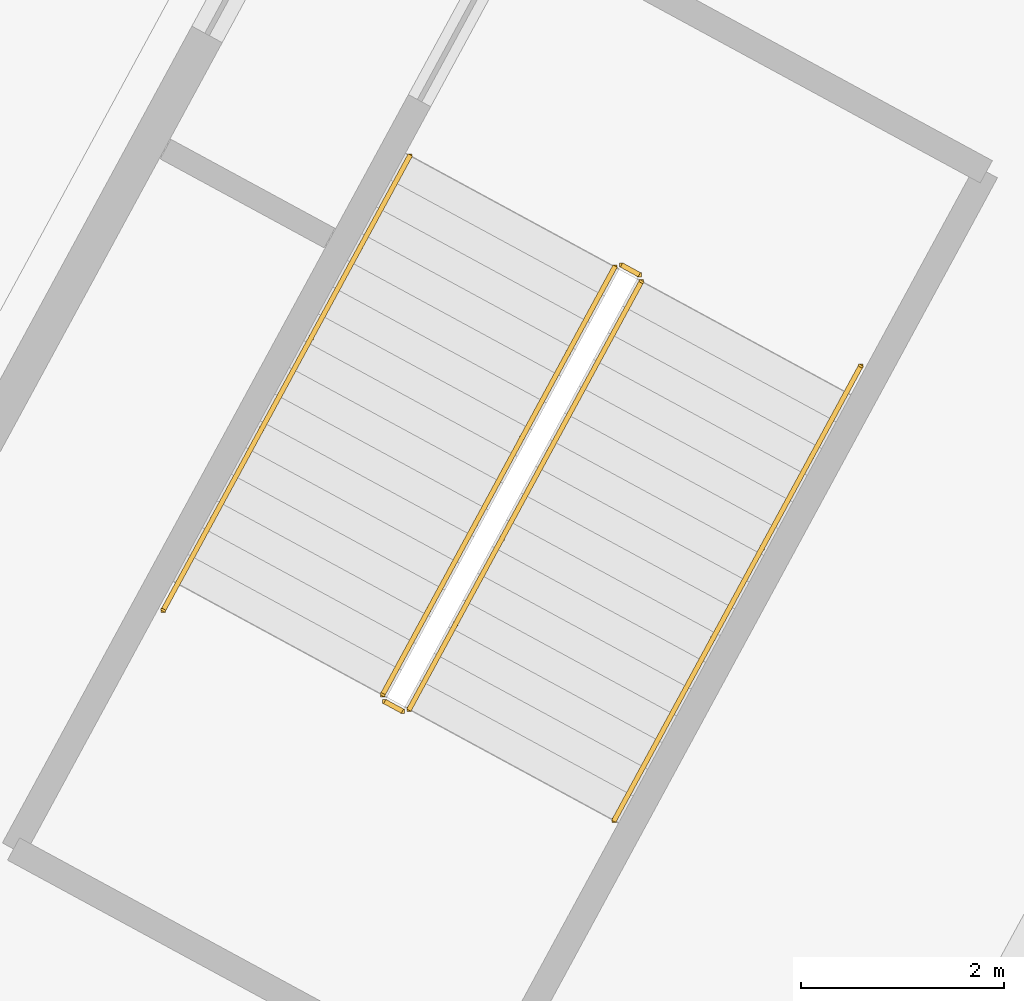
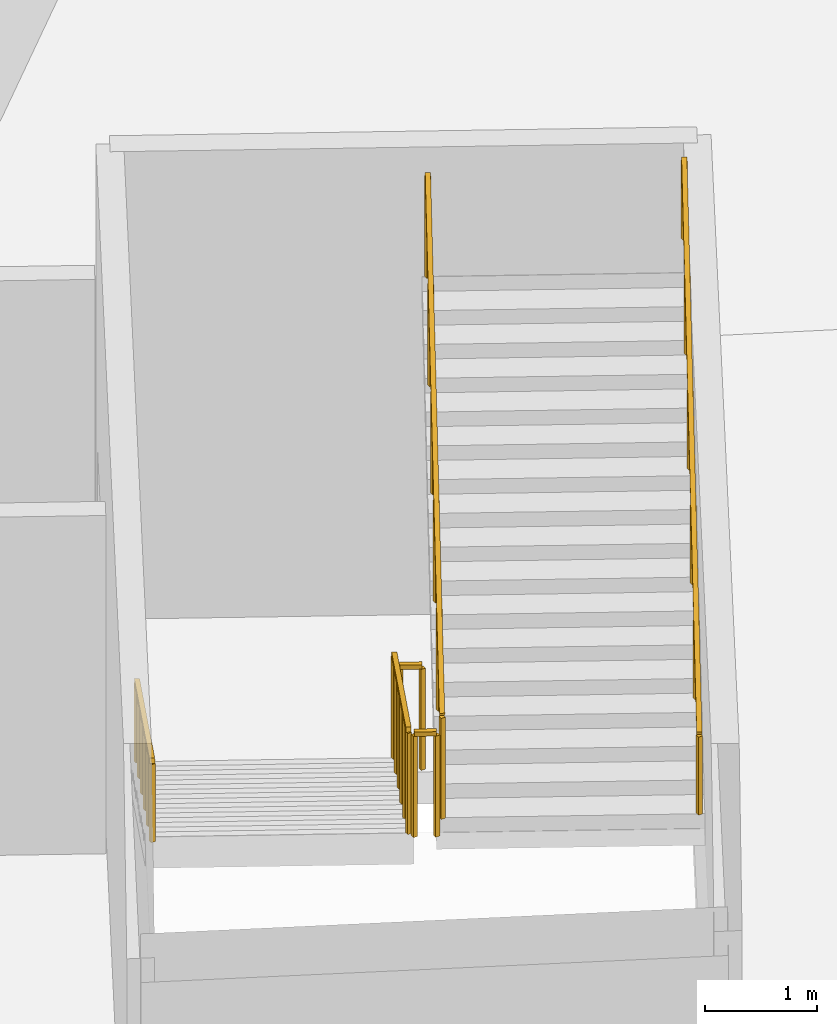
# One storey, part 66 of 82: 6 railings.
"""IFC4 building model written with IfcOpenShell, lengths in metres."""

from ifc_helpers import new_model, si_unit, direction, frame, origin, origin_2d, place, context, subcontext, project, spatial, rectangle, extrude, material, type_object, element, save


model = new_model("IFC4")

# Units and contexts
model_context = context("Model", 3, precision=1e-05, world=origin(), true_north=direction((0.0, 1.0)))
body_context = subcontext(model_context, "Body", "Model", "MODEL_VIEW")
ifc_project = project(units=[si_unit("LENGTHUNIT", "METRE"), si_unit("AREAUNIT", "SQUARE_METRE"), si_unit("VOLUMEUNIT", "CUBIC_METRE"), si_unit("PLANEANGLEUNIT", "RADIAN"), si_unit("MASSUNIT", "GRAM", prefix="KILO")], contexts=[model_context])

# Site, building, storey
site_placement = place(None, origin())
site = spatial("IfcSite", under=ifc_project, at=site_placement, CompositionType="ELEMENT")
building_placement = place(site_placement, origin())
building = spatial("IfcBuilding", under=site, at=building_placement, Name="Zlatoyarsky Gate Stadium", CompositionType="ELEMENT")
storey_placement = place(building_placement, origin())
storey = spatial("IfcBuildingStorey", under=building, at=storey_placement, Name="L00", CompositionType="ELEMENT", Elevation=0.0)

# Railings
ifc_material_1 = material(Name="Powder-coated steel stair guardrail", Category="steel")
railing_type_1 = type_object("IfcRailingType", Name="PAINTED STEEL STAIR WELL GUARDRAIL 1150", PredefinedType="GUARDRAIL", material=ifc_material_1)
railing_1_placement = place(storey_placement, frame((31.562744140625, 107.824951171875, 0.158935546875)))
element("IfcRailing", 1, at=railing_1_placement, inside=storey, type_object=railing_type_1, Name="ST-06 L00 stair guard 1", PredefinedType="GUARDRAIL", context=body_context, shape_type="SweptSolid", body=[
    extrude(rectangle(XDim=0.048095703125, YDim=0.048095703125, at=origin_2d()), frame((0.0, 0.0, 1.1259765625), z_axis=(-0.421475720149, -0.776826143334, 0.467866819039), x_axis=(0.878962478599, -0.4768909322, 0.0)), (0.0, 0.0, 1.0), 5.43115234375),
    extrude(rectangle(XDim=0.0419921875, YDim=0.0419921875, at=origin_2d()), origin(), (0.0, 0.0, 1.0), 1.101806640625),
    extrude(rectangle(XDim=0.0419921875, YDim=0.0419921875, at=origin_2d()), frame((-0.457763671875, -0.84375, 0.50830078125)), (0.0, 0.0, 1.0), 1.101806640625),
    extrude(rectangle(XDim=0.0419921875, YDim=0.0419921875, at=origin_2d()), frame((-0.91552734375, -1.6875, 1.016357421875)), (0.0, 0.0, 1.0), 1.101806640625),
    extrude(rectangle(XDim=0.0419921875, YDim=0.0419921875, at=origin_2d()), frame((-1.37353515625, -2.531494140625, 1.524658203125)), (0.0, 0.0, 1.0), 1.101806640625),
    extrude(rectangle(XDim=0.0419921875, YDim=0.0419921875, at=origin_2d()), frame((-1.831298828125, -3.375244140625, 2.03271484375)), (0.0, 0.0, 1.0), 1.101806640625),
    extrude(rectangle(XDim=0.0419921875, YDim=0.0419921875, at=origin_2d()), frame((-2.2890625, -4.218994140625, 2.541015625)), (0.0, 0.0, 1.0), 1.101806640625),
])
railing_2_placement = place(storey_placement, frame((29.293701171875, 103.538330078125, 2.699951171875)))
element("IfcRailing", 2, at=railing_2_placement, inside=storey, type_object=railing_type_1, Name="ST-06 L00 stair guard 2", PredefinedType="GUARDRAIL", context=body_context, shape_type="SweptSolid", body=[
    extrude(rectangle(XDim=0.048095703125, YDim=0.048095703125, at=origin_2d()), frame((0.0, 0.0, 1.1259765625), z_axis=(0.878780312785, -0.477226530971, 0.0), x_axis=(0.477226530971, 0.878780312785, 0.0)), (0.0, 0.0, 1.0), 0.199951171875),
    extrude(rectangle(XDim=0.0419921875, YDim=0.0419921875, at=origin_2d()), origin(), (0.0, 0.0, 1.0), 1.101806640625),
    extrude(rectangle(XDim=0.0419921875, YDim=0.0419921875, at=origin_2d()), frame((0.17578125, -0.095458984375, 0.0)), (0.0, 0.0, 1.0), 1.101806640625),
])
railing_3_placement = place(storey_placement, frame((29.537353515625, 103.462890625, 2.85888671875)))
element("IfcRailing", 3, at=railing_3_placement, inside=storey, type_object=railing_type_1, Name="ST-06 L00 stair guard 3", PredefinedType="GUARDRAIL", context=body_context, shape_type="SweptSolid", body=[
    extrude(rectangle(XDim=0.048095703125, YDim=0.048095703125, at=origin_2d()), frame((0.0, 0.0, 1.1259765625), z_axis=(0.421475720149, 0.776826143334, 0.467866819039), x_axis=(-0.878962478599, 0.4768909322, 0.0)), (0.0, 0.0, 1.0), 5.43115234375),
    extrude(rectangle(XDim=0.0419921875, YDim=0.0419921875, at=origin_2d()), origin(), (0.0, 0.0, 1.0), 1.101806640625),
    extrude(rectangle(XDim=0.0419921875, YDim=0.0419921875, at=origin_2d()), frame((0.457763671875, 0.84375, 0.50830078125)), (0.0, 0.0, 1.0), 1.101806640625),
    extrude(rectangle(XDim=0.0419921875, YDim=0.0419921875, at=origin_2d()), frame((0.91552734375, 1.6875, 1.016357421875)), (0.0, 0.0, 1.0), 1.101806640625),
    extrude(rectangle(XDim=0.0419921875, YDim=0.0419921875, at=origin_2d()), frame((1.37353515625, 2.531494140625, 1.524658203125)), (0.0, 0.0, 1.0), 1.101806640625),
    extrude(rectangle(XDim=0.0419921875, YDim=0.0419921875, at=origin_2d()), frame((1.831298828125, 3.375244140625, 2.03271484375)), (0.0, 0.0, 1.0), 1.101806640625),
    extrude(rectangle(XDim=0.0419921875, YDim=0.0419921875, at=origin_2d()), frame((2.2890625, 4.218994140625, 2.541015625)), (0.0, 0.0, 1.0), 1.101806640625),
])
railing_4_placement = place(storey_placement, frame((31.63037109375, 107.84521484375, 0.0)))
element("IfcRailing", 4, at=railing_4_placement, inside=storey, type_object=railing_type_1, Name="ST-06 L00 stair guard 4", PredefinedType="GUARDRAIL", context=body_context, shape_type="SweptSolid", body=[
    extrude(rectangle(XDim=0.048095703125, YDim=0.048095703125, at=origin_2d()), frame((0.0, 0.0, 1.1259765625), z_axis=(0.878780312785, -0.477226530971, 0.0), x_axis=(0.477226530971, 0.878780312785, 0.0)), (0.0, 0.0, 1.0), 0.199951171875),
    extrude(rectangle(XDim=0.0419921875, YDim=0.0419921875, at=origin_2d()), origin(), (0.0, 0.0, 1.0), 1.101806640625),
    extrude(rectangle(XDim=0.0419921875, YDim=0.0419921875, at=origin_2d()), frame((0.17578125, -0.095458984375, 0.0)), (0.0, 0.0, 1.0), 1.101806640625),
])
ifc_material_2 = material(Name="Brushed stainless steel 316 handrail", Category="steel")
railing_type_2 = type_object("IfcRailingType", Name="STAINLESS STEEL TUBULAR HANDRAIL 900", PredefinedType="HANDRAIL", material=ifc_material_2)
railing_5_placement = place(storey_placement, frame((29.541015625, 108.921875, 0.162841796875)))
element("IfcRailing", 5, at=railing_5_placement, inside=storey, type_object=railing_type_2, Name="ST-06 L00 stair handrail 1", PredefinedType="HANDRAIL", context=body_context, shape_type="SweptSolid", body=[
    extrude(rectangle(XDim=0.048095703125, YDim=0.048095703125, at=origin_2d()), frame((0.0, 0.0, 0.8759765625), z_axis=(-0.421472414376, -0.776817406179, 0.467884303411), x_axis=(0.878961798155, -0.476892186331, 0.0)), (0.0, 0.0, 1.0), 5.7705078125),
    extrude(rectangle(XDim=0.0419921875, YDim=0.0419921875, at=origin_2d()), origin(), (0.0, 0.0, 1.0), 0.851806640625),
    extrude(rectangle(XDim=0.0419921875, YDim=0.0419921875, at=origin_2d()), frame((-0.486328125, -0.896484375, 0.5400390625)), (0.0, 0.0, 1.0), 0.851806640625),
    extrude(rectangle(XDim=0.0419921875, YDim=0.0419921875, at=origin_2d()), frame((-0.972900390625, -1.79296875, 1.080078125)), (0.0, 0.0, 1.0), 0.851806640625),
    extrude(rectangle(XDim=0.0419921875, YDim=0.0419921875, at=origin_2d()), frame((-1.459228515625, -2.689697265625, 1.619873046875)), (0.0, 0.0, 1.0), 0.851806640625),
    extrude(rectangle(XDim=0.0419921875, YDim=0.0419921875, at=origin_2d()), frame((-1.94580078125, -3.586181640625, 2.159912109375)), (0.0, 0.0, 1.0), 0.851806640625),
    extrude(rectangle(XDim=0.0419921875, YDim=0.0419921875, at=origin_2d()), frame((-2.43212890625, -4.482666015625, 2.699951171875)), (0.0, 0.0, 1.0), 0.851806640625),
])
railing_6_placement = place(storey_placement, frame((31.558837890625, 102.3662109375, 2.86279296875)))
element("IfcRailing", 6, at=railing_6_placement, inside=storey, type_object=railing_type_2, Name="ST-06 L00 stair handrail 2", PredefinedType="HANDRAIL", context=body_context, shape_type="SweptSolid", body=[
    extrude(rectangle(XDim=0.048095703125, YDim=0.048095703125, at=origin_2d()), frame((0.0, 0.0, 0.8759765625), z_axis=(0.421472414376, 0.776817406179, 0.467884303411), x_axis=(-0.878961798155, 0.476892186331, 0.0)), (0.0, 0.0, 1.0), 5.7705078125),
    extrude(rectangle(XDim=0.0419921875, YDim=0.0419921875, at=origin_2d()), origin(), (0.0, 0.0, 1.0), 0.851806640625),
    extrude(rectangle(XDim=0.0419921875, YDim=0.0419921875, at=origin_2d()), frame((0.486328125, 0.896484375, 0.5400390625)), (0.0, 0.0, 1.0), 0.851806640625),
    extrude(rectangle(XDim=0.0419921875, YDim=0.0419921875, at=origin_2d()), frame((0.972900390625, 1.79296875, 1.080078125)), (0.0, 0.0, 1.0), 0.851806640625),
    extrude(rectangle(XDim=0.0419921875, YDim=0.0419921875, at=origin_2d()), frame((1.459228515625, 2.689697265625, 1.619873046875)), (0.0, 0.0, 1.0), 0.851806640625),
    extrude(rectangle(XDim=0.0419921875, YDim=0.0419921875, at=origin_2d()), frame((1.94580078125, 3.586181640625, 2.159912109375)), (0.0, 0.0, 1.0), 0.851806640625),
    extrude(rectangle(XDim=0.0419921875, YDim=0.0419921875, at=origin_2d()), frame((2.43212890625, 4.482666015625, 2.699951171875)), (0.0, 0.0, 1.0), 0.851806640625),
])

save(model, "model.ifc")
